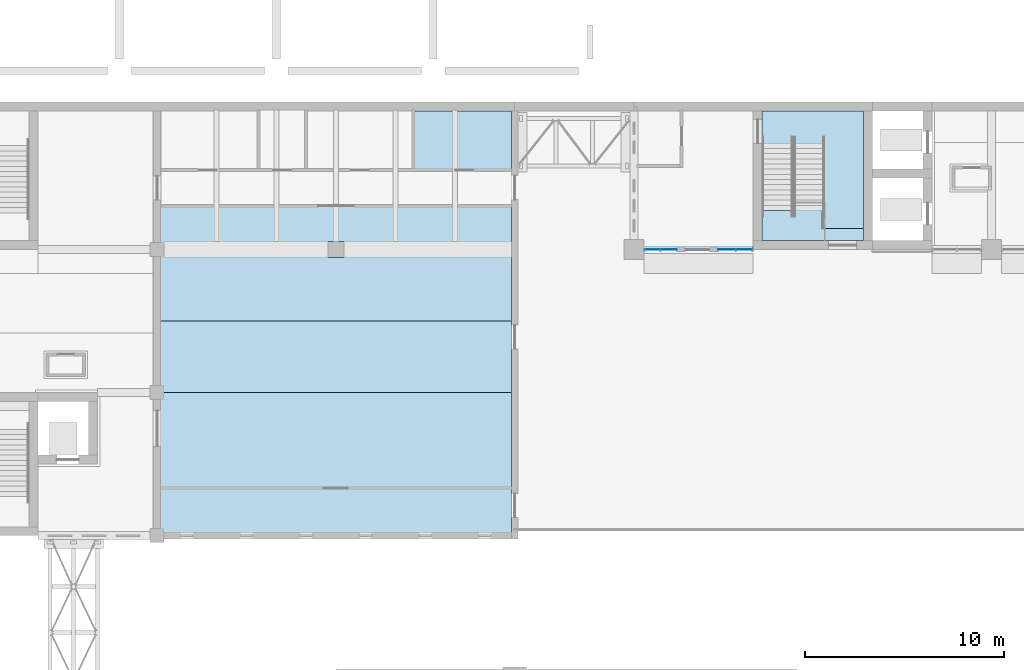
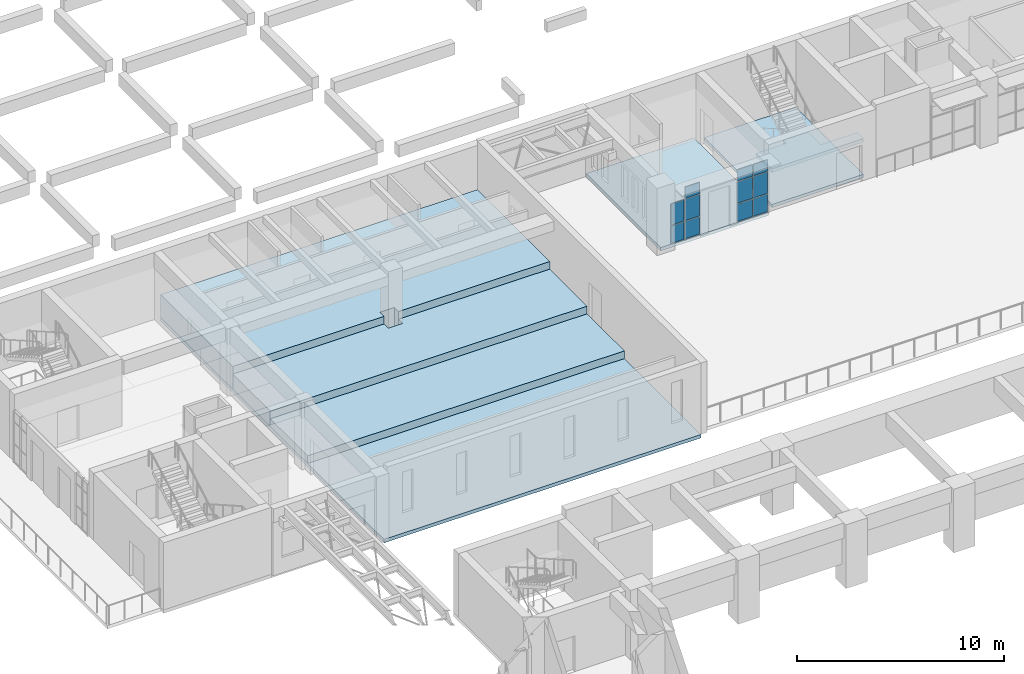
# One storey, part 49 of 103: 11 plates, 7 slabs, 3 elements without a shape of their own.
"""IFC4 building model written with IfcOpenShell, lengths in metres."""

from ifc_helpers import new_model, si_unit, direction, frame, origin, origin_2d, place, context, subcontext, project, spatial, polyline, rectangle, outline, extrude, material, layer, layer_set, type_object, element, aggregate, save


model = new_model("IFC4")

# Units and contexts
model_context = context("Model", 3, precision=1e-05, world=origin(), true_north=direction((0.0, 1.0)))
body_context = subcontext(model_context, "Body", "Model", "MODEL_VIEW")
ifc_project = project(units=[si_unit("LENGTHUNIT", "METRE"), si_unit("AREAUNIT", "SQUARE_METRE"), si_unit("VOLUMEUNIT", "CUBIC_METRE"), si_unit("PLANEANGLEUNIT", "RADIAN"), si_unit("MASSUNIT", "GRAM", prefix="KILO")], contexts=[model_context])

# Site, building, storey
site_placement = place(None, origin())
site = spatial("IfcSite", under=ifc_project, at=site_placement, CompositionType="ELEMENT")
building_placement = place(site_placement, origin())
building = spatial("IfcBuilding", under=site, at=building_placement, Name="Laocheng Heights Fire and Rescue Headquarters", CompositionType="ELEMENT")
storey_placement = place(building_placement, frame((0.0, 0.0, 4.199951171875)))
storey = spatial("IfcBuildingStorey", under=building, at=storey_placement, Name="L01", CompositionType="ELEMENT", Elevation=4.199951171875)

# Curtain wall, plates
ifc_material_1 = material(Name="Dark anodised aluminium unitised curtain wall, low-e double glazing", Category="aluminium")
curtain_wall_type_1 = type_object("IfcCurtainWallType", Name="CW 1650 x 3150 HQ SOUTH RIBBON", PredefinedType="NOTDEFINED", material=ifc_material_1)
curtain_wall_1_placement = place(storey_placement, origin())
curtain_wall_1 = element("IfcCurtainWall", 1, at=curtain_wall_1_placement, inside=storey, type_object=curtain_wall_type_1, Name="X1-X HQ SOUTH L01", PredefinedType="NOTDEFINED")
ifc_material_2 = material(Name="Low-e double glazed unit, laminated inner pane")
ifc_layer_1 = layer(ifc_material_2, 0.028076171875)
ifc_layer_set_1 = layer_set([ifc_layer_1], Name="Low-e double glazed unit, laminated inner pane")
plate_type = type_object("IfcPlateType", Name="CW VISION PANEL 28 X", PredefinedType="CURTAIN_PANEL", material=ifc_layer_set_1)
plate_1_placement = place(storey_placement, frame((36.927490234375, 50.39990234375, 0.050048828125), z_axis=(0.0, 0.0, 1.0), x_axis=(1.0, 0.0, 0.0)))
plate_1 = element("IfcPlate", 2, at=plate_1_placement, type_object=plate_type, Name="X1-X panel 1.1", PredefinedType="CURTAIN_PANEL", context=body_context, shape_type="SweptSolid", body=[
    extrude(rectangle(XDim=0.735107421875, YDim=0.028076171875, at=origin_2d()), origin(), (0.0, 0.0, 1.0), 1.02490234375),
])
plate_2_placement = place(storey_placement, frame((36.927490234375, 50.39990234375, 1.125), z_axis=(0.0, 0.0, 1.0), x_axis=(1.0, 0.0, 0.0)))
plate_2 = element("IfcPlate", 3, at=plate_2_placement, type_object=plate_type, Name="X1-X panel 1.2", PredefinedType="CURTAIN_PANEL", context=body_context, shape_type="SweptSolid", body=[
    extrude(rectangle(XDim=0.735107421875, YDim=0.028076171875, at=origin_2d()), origin(), (0.0, 0.0, 1.0), 1.25),
])
plate_3_placement = place(storey_placement, frame((37.75244140625, 50.39990234375, 0.050048828125), z_axis=(0.0, 0.0, 1.0), x_axis=(1.0, 0.0, 0.0)))
plate_3 = element("IfcPlate", 4, at=plate_3_placement, type_object=plate_type, Name="X1-X panel 2.1", PredefinedType="CURTAIN_PANEL", context=body_context, shape_type="SweptSolid", body=[
    extrude(rectangle(XDim=0.794921875, YDim=0.028076171875, at=origin_2d()), origin(), (0.0, 0.0, 1.0), 1.02490234375),
])
plate_4_placement = place(storey_placement, frame((37.75244140625, 50.39990234375, 1.125), z_axis=(0.0, 0.0, 1.0), x_axis=(1.0, 0.0, 0.0)))
plate_4 = element("IfcPlate", 5, at=plate_4_placement, type_object=plate_type, Name="X1-X panel 2.2", PredefinedType="CURTAIN_PANEL", context=body_context, shape_type="SweptSolid", body=[
    extrude(rectangle(XDim=0.794921875, YDim=0.028076171875, at=origin_2d()), origin(), (0.0, 0.0, 1.0), 1.25),
])
plate_5_placement = place(storey_placement, frame((37.75244140625, 50.39990234375, 2.4248046875), z_axis=(0.0, 0.0, 1.0), x_axis=(1.0, 0.0, 0.0)))
plate_5 = element("IfcPlate", 6, at=plate_5_placement, type_object=plate_type, Name="X1-X panel 2.3", PredefinedType="CURTAIN_PANEL", context=body_context, shape_type="SweptSolid", body=[
    extrude(rectangle(XDim=0.794921875, YDim=0.028076171875, at=origin_2d()), origin(), (0.0, 0.0, 1.0), 0.675048828125),
])
aggregate(curtain_wall_1, [plate_1, plate_2, plate_3, plate_4, plate_5])

ifc_material_3 = material(Name="Dark anodised aluminium unitised curtain wall, low-e double glazing", Category="aluminium")
curtain_wall_type_2 = type_object("IfcCurtainWallType", Name="CW 1750 x 3150 HQ SOUTH RIBBON", PredefinedType="NOTDEFINED", material=ifc_material_3)
curtain_wall_2_placement = place(storey_placement, origin())
curtain_wall_2 = element("IfcCurtainWall", 7, at=curtain_wall_2_placement, inside=storey, type_object=curtain_wall_type_2, Name="X2-X HQ SOUTH L01", PredefinedType="NOTDEFINED")
plate_6_placement = place(storey_placement, frame((40.672607421875, 50.39990234375, 0.050048828125), z_axis=(0.0, 0.0, 1.0), x_axis=(1.0, 0.0, 0.0)))
plate_6 = element("IfcPlate", 8, at=plate_6_placement, type_object=plate_type, Name="X2-X panel 1.1", PredefinedType="CURTAIN_PANEL", context=body_context, shape_type="SweptSolid", body=[
    extrude(rectangle(XDim=0.844970703125, YDim=0.028076171875, at=origin_2d()), origin(), (0.0, 0.0, 1.0), 1.02490234375),
])
plate_7_placement = place(storey_placement, frame((40.672607421875, 50.39990234375, 1.125), z_axis=(0.0, 0.0, 1.0), x_axis=(1.0, 0.0, 0.0)))
plate_7 = element("IfcPlate", 9, at=plate_7_placement, type_object=plate_type, Name="X2-X panel 1.2", PredefinedType="CURTAIN_PANEL", context=body_context, shape_type="SweptSolid", body=[
    extrude(rectangle(XDim=0.844970703125, YDim=0.028076171875, at=origin_2d()), origin(), (0.0, 0.0, 1.0), 1.25),
])
plate_8_placement = place(storey_placement, frame((40.672607421875, 50.39990234375, 2.4248046875), z_axis=(0.0, 0.0, 1.0), x_axis=(1.0, 0.0, 0.0)))
plate_8 = element("IfcPlate", 10, at=plate_8_placement, type_object=plate_type, Name="X2-X panel 1.3", PredefinedType="CURTAIN_PANEL", context=body_context, shape_type="SweptSolid", body=[
    extrude(rectangle(XDim=0.844970703125, YDim=0.028076171875, at=origin_2d()), origin(), (0.0, 0.0, 1.0), 0.675048828125),
])
plate_9_placement = place(storey_placement, frame((41.547607421875, 50.39990234375, 0.050048828125), z_axis=(0.0, 0.0, 1.0), x_axis=(1.0, 0.0, 0.0)))
plate_9 = element("IfcPlate", 11, at=plate_9_placement, type_object=plate_type, Name="X2-X panel 2.1", PredefinedType="CURTAIN_PANEL", context=body_context, shape_type="SweptSolid", body=[
    extrude(rectangle(XDim=0.784912109375, YDim=0.028076171875, at=origin_2d()), origin(), (0.0, 0.0, 1.0), 1.02490234375),
])
plate_10_placement = place(storey_placement, frame((41.547607421875, 50.39990234375, 1.125), z_axis=(0.0, 0.0, 1.0), x_axis=(1.0, 0.0, 0.0)))
plate_10 = element("IfcPlate", 12, at=plate_10_placement, type_object=plate_type, Name="X2-X panel 2.2", PredefinedType="CURTAIN_PANEL", context=body_context, shape_type="SweptSolid", body=[
    extrude(rectangle(XDim=0.784912109375, YDim=0.028076171875, at=origin_2d()), origin(), (0.0, 0.0, 1.0), 1.25),
])
plate_11_placement = place(storey_placement, frame((41.547607421875, 50.39990234375, 2.4248046875), z_axis=(0.0, 0.0, 1.0), x_axis=(1.0, 0.0, 0.0)))
plate_11 = element("IfcPlate", 13, at=plate_11_placement, type_object=plate_type, Name="X2-X panel 2.3", PredefinedType="CURTAIN_PANEL", context=body_context, shape_type="SweptSolid", body=[
    extrude(rectangle(XDim=0.784912109375, YDim=0.028076171875, at=origin_2d()), origin(), (0.0, 0.0, 1.0), 0.675048828125),
])
aggregate(curtain_wall_2, [plate_6, plate_7, plate_8, plate_9, plate_10, plate_11])

# Slabs
ifc_material_4 = material(Name="Concrete C35", Category="concrete")
ifc_layer_2 = layer(ifc_material_4, 0.199951171875)
ifc_layer_set_2 = layer_set([ifc_layer_2], Name="Concrete C35")
slab_type_1 = type_object("IfcSlabType", Name="RC GROUND SLAB 200 HQ", PredefinedType="BASESLAB", material=ifc_layer_set_2)
slab_1_placement = place(storey_placement, frame((0.0, 0.0, -0.199951171875)))
element("IfcSlab", 14, at=slab_1_placement, inside=storey, type_object=slab_type_1, Name="HQ floor L01", PredefinedType="BASESLAB", context=body_context, shape_type="SweptSolid", body=[
    extrude(outline(polyline([(36.0, 50.39990234375), (42.0, 50.39990234375), (42.0, 57.60009765625), (36.0, 57.60009765625), (36.0, 50.39990234375)])), origin(), (0.0, 0.0, 1.0), 0.199951171875),
])
ifc_material_5 = material(Name="Concrete C35", Category="concrete")
ifc_layer_3 = layer(ifc_material_5, 0.199951171875)
ifc_layer_set_3 = layer_set([ifc_layer_3], Name="Concrete C35")
slab_type_2 = type_object("IfcSlabType", Name="RC STALLS BASE SLAB 200 THEATRE", PredefinedType="BASESLAB", material=ifc_layer_set_3)
slab_2_placement = place(storey_placement, frame((0.0, 0.0, -0.199951171875)))
element("IfcSlab", 15, at=slab_2_placement, inside=storey, type_object=slab_type_2, Name="Stalls base slab and stage", PredefinedType="BASESLAB", context=body_context, shape_type="SweptSolid", body=[
    extrude(outline(polyline([(12.175048828125, 35.824951171875), (29.824951171875, 35.824951171875), (29.824951171875, 57.375), (12.175048828125, 57.375), (12.175048828125, 35.824951171875)]), holes=[polyline([(21.39990234375, 50.800048828125), (21.39990234375, 50.0), (20.60009765625, 50.0), (20.60009765625, 50.800048828125), (21.39990234375, 50.800048828125)])]), origin(), (0.0, 0.0, 1.0), 0.199951171875),
])
ifc_material_6 = material(Name="Concrete C35", Category="concrete")
ifc_layer_4 = layer(ifc_material_6, 0.449951171875)
ifc_layer_set_4 = layer_set([ifc_layer_4], Name="Concrete C35")
slab_type_3 = type_object("IfcSlabType", Name="RC STALLS TIER 1 SLAB 450", PredefinedType="FLOOR", material=ifc_layer_set_4)
slab_3_placement = place(storey_placement, origin())
element("IfcSlab", 16, at=slab_3_placement, inside=storey, type_object=slab_type_3, Name="Stalls tier 1", PredefinedType="FLOOR", context=body_context, shape_type="SweptSolid", body=[
    extrude(outline(polyline([(12.175048828125, 43.199951171875), (29.824951171875, 43.199951171875), (29.824951171875, 46.800048828125), (12.175048828125, 46.800048828125), (12.175048828125, 43.199951171875)])), origin(), (0.0, 0.0, 1.0), 0.449951171875),
])
ifc_material_7 = material(Name="Concrete C35", Category="concrete")
ifc_layer_5 = layer(ifc_material_7, 0.89990234375)
ifc_layer_set_5 = layer_set([ifc_layer_5], Name="Concrete C35")
slab_type_4 = type_object("IfcSlabType", Name="RC STALLS TIER 2 SLAB 900", PredefinedType="FLOOR", material=ifc_layer_set_5)
slab_4_placement = place(storey_placement, origin())
element("IfcSlab", 17, at=slab_4_placement, inside=storey, type_object=slab_type_4, Name="Stalls tier 2", PredefinedType="FLOOR", context=body_context, shape_type="SweptSolid", body=[
    extrude(outline(polyline([(29.824951171875, 50.39990234375), (21.39990234375, 50.39990234375), (21.39990234375, 50.0), (20.60009765625, 50.0), (20.60009765625, 50.39990234375), (12.175048828125, 50.39990234375), (12.175048828125, 46.800048828125), (29.824951171875, 46.800048828125), (29.824951171875, 50.39990234375)])), origin(), (0.0, 0.0, 1.0), 0.900146484375),
])
ifc_material_8 = material(Name="Concrete C35", Category="concrete")
ifc_layer_6 = layer(ifc_material_8, 1.35009765625)
ifc_layer_set_6 = layer_set([ifc_layer_6], Name="Concrete C35")
slab_type_5 = type_object("IfcSlabType", Name="RC STALLS TIER 3 SLAB 1350", PredefinedType="FLOOR", material=ifc_layer_set_6)
slab_5_placement = place(storey_placement, origin())
element("IfcSlab", 18, at=slab_5_placement, inside=storey, type_object=slab_type_5, Name="Stalls tier 3", PredefinedType="FLOOR", context=body_context, shape_type="SweptSolid", body=[
    extrude(outline(polyline([(12.175048828125, 50.39990234375), (20.60009765625, 50.39990234375), (20.60009765625, 50.800048828125), (21.39990234375, 50.800048828125), (21.39990234375, 50.39990234375), (29.824951171875, 50.39990234375), (29.824951171875, 57.375), (12.175048828125, 57.375), (12.175048828125, 50.39990234375)])), origin(), (0.0, 0.0, 1.0), 1.35009765625),
])

# Stair, slabs
ifc_material_9 = material(Name="Concrete C40", Category="concrete")
stair_type = type_object("IfcStairType", Name="RC STAIR 1400 TWO FLIGHTS 28 RISERS OF 150 GOING 260", PredefinedType="HALF_TURN_STAIR", material=ifc_material_9)
stair_placement = place(storey_placement, origin())
stair = element("IfcStair", 19, at=stair_placement, inside=storey, type_object=stair_type, Name="Stair H1 (L01 to L02)", PredefinedType="HALF_TURN_STAIR")
ifc_material_10 = material(Name="Concrete C40", Category="concrete")
ifc_layer_7 = layer(ifc_material_10, 0.179931640625)
ifc_layer_set_7 = layer_set([ifc_layer_7], Name="Concrete C40")
slab_type_6 = type_object("IfcSlabType", Name="STAIR FLOOR LANDING 180", PredefinedType="LANDING", material=ifc_layer_set_7)
slab_6_placement = place(storey_placement, frame((0.0, 0.0, -0.179931640625)))
slab_6 = element("IfcSlab", 20, at=slab_6_placement, type_object=slab_type_6, Name="Stair H1 floor landing L01", PredefinedType="LANDING", context=body_context, shape_type="SweptSolid", body=[
    extrude(outline(polyline([(47.550048828125, 50.85009765625), (42.449951171875, 50.85009765625), (42.449951171875, 57.375), (47.550048828125, 57.375), (47.550048828125, 50.85009765625)])), origin(), (0.0, 0.0, 1.0), 0.179931640625),
])
ifc_material_11 = material(Name="Concrete C40", Category="concrete")
ifc_layer_8 = layer(ifc_material_11, 0.201904296875)
ifc_layer_set_8 = layer_set([ifc_layer_8], Name="Concrete C40")
slab_type_7 = type_object("IfcSlabType", Name="STAIR HALF LANDING 202", PredefinedType="LANDING", material=ifc_layer_set_8)
slab_7_placement = place(storey_placement, frame((0.0, 0.0, 1.900146484375)))
slab_7 = element("IfcSlab", 21, at=slab_7_placement, type_object=slab_type_7, Name="H1-L01 landing 1", PredefinedType="LANDING", context=body_context, shape_type="SweptSolid", body=[
    extrude(outline(polyline([(47.550048828125, 51.449951171875), (47.550048828125, 50.85009765625), (45.52490234375, 50.85009765625), (44.125, 50.85009765625), (42.449951171875, 50.85009765625), (42.449951171875, 52.373046875), (44.125, 52.373046875), (44.125, 52.670166015625), (45.52490234375, 52.670166015625), (45.52490234375, 51.449951171875), (47.550048828125, 51.449951171875)])), origin(), (0.0, 0.0, 1.0), 0.201904296875),
])
aggregate(stair, [slab_7, slab_6])

save(model, "model.ifc")
